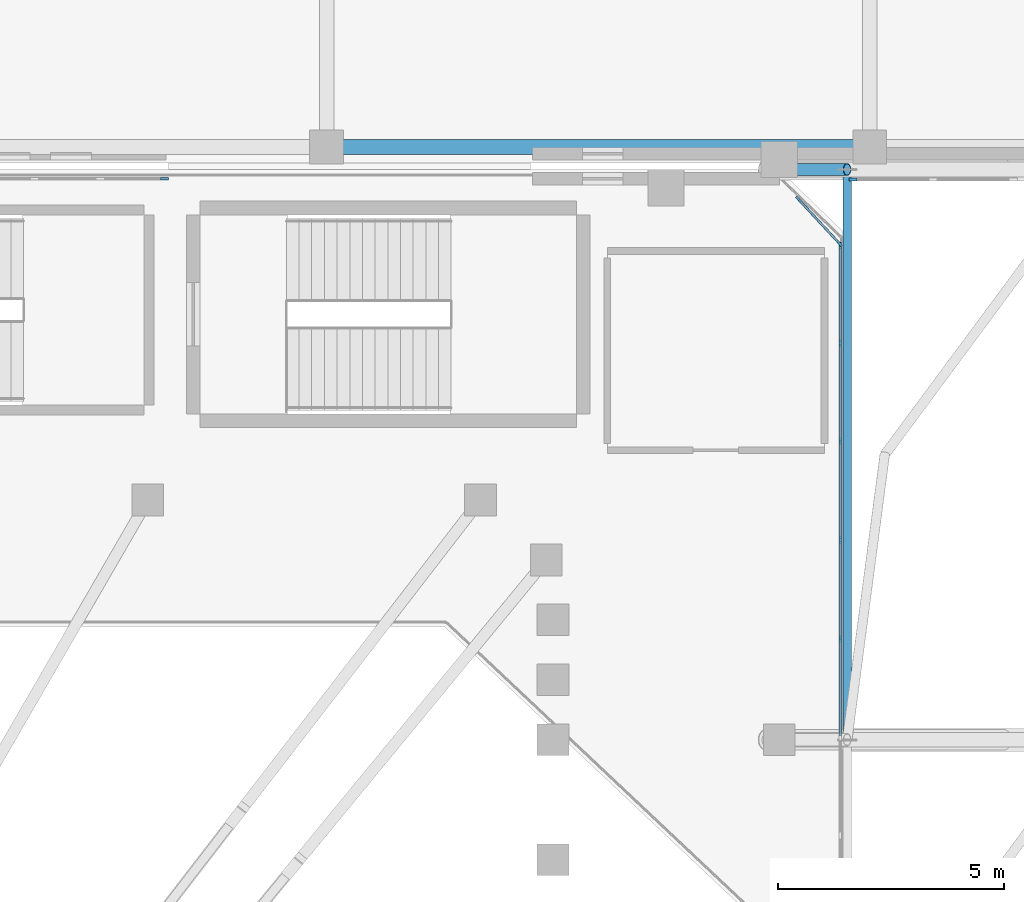
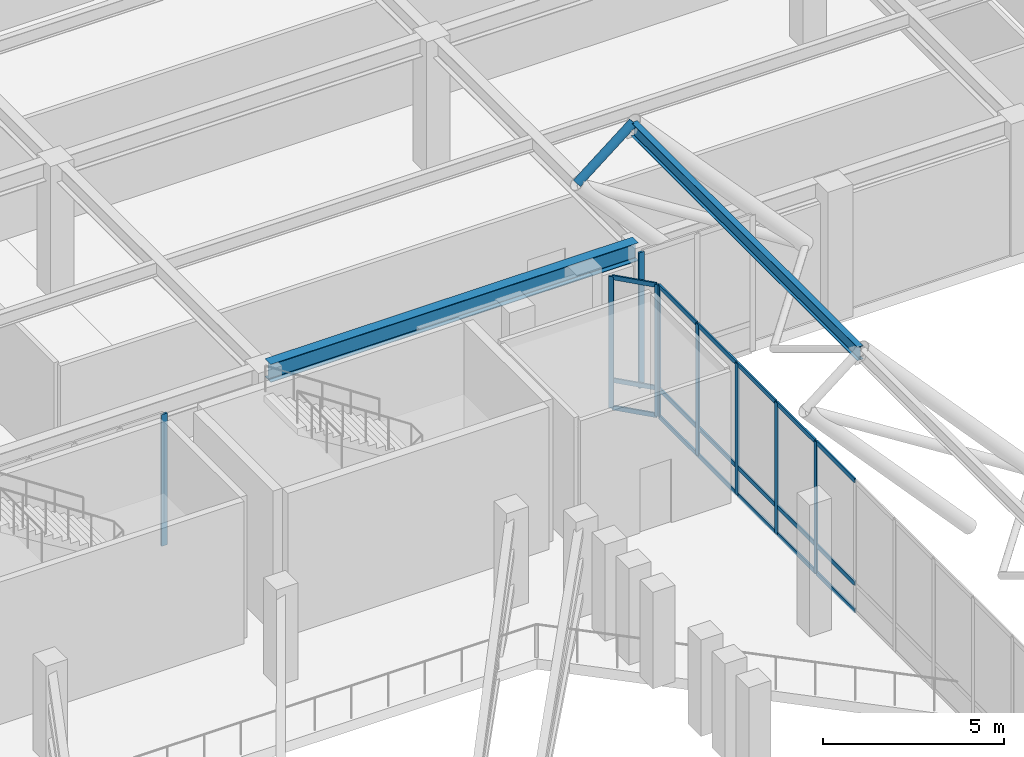
# One storey, part 31 of 79: 29 members, 1 beam, 4 elements without a shape of their own.
"""IFC4 building model written with IfcOpenShell, lengths in metres."""

from ifc_helpers import new_model, si_unit, derived_unit, direction, frame, origin, origin_2d, place, context, subcontext, project, spatial, rectangle, hollow_circle, i_section, extrude, material, layer, layer_set, material_profile, profile_set, type_object, element, aggregate, save


model = new_model("IFC4")

# Units and contexts
model_context = context("Model", 3, precision=1e-05, world=origin(), true_north=direction((0.0, 1.0)))
body_context = subcontext(model_context, "Body", "Model", "MODEL_VIEW")
ifc_project = project(units=[si_unit("LENGTHUNIT", "METRE"), si_unit("AREAUNIT", "SQUARE_METRE"), si_unit("VOLUMEUNIT", "CUBIC_METRE"), si_unit("PLANEANGLEUNIT", "RADIAN"), si_unit("MASSUNIT", "GRAM", prefix="KILO"), derived_unit("THERMALTRANSMITTANCEUNIT", [(si_unit("MASSUNIT", "GRAM", prefix="KILO"), 1), (si_unit("TIMEUNIT", "SECOND"), -3), (si_unit("THERMODYNAMICTEMPERATUREUNIT", "KELVIN"), -1)])], contexts=[model_context])

# Site, building, storey
site_placement = place(None, origin())
site = spatial("IfcSite", under=ifc_project, at=site_placement, CompositionType="ELEMENT")
building_placement = place(site_placement, origin())
building = spatial("IfcBuilding", under=site, at=building_placement, Name="Valcora Ridge Arena", CompositionType="ELEMENT")
storey_placement = place(building_placement, frame((0.0, 0.0, 16.199951171875)))
storey = spatial("IfcBuildingStorey", under=building, at=storey_placement, Name="L03", CompositionType="ELEMENT", Elevation=16.199951171875)

# Beam
ifc_material_1 = material(Name="Steel ASTM A572 Grade 50", Category="steel")
ifc_material_profile_1 = material_profile(ifc_material_1, i_section(OverallWidth=0.324951171875, OverallDepth=0.612060546875, WebThickness=0.0126953125, FlangeThickness=0.01904296875, FilletRadius=0.01806640625, at=origin_2d()), Name="W24X104")
ifc_profile_set_1 = profile_set([ifc_material_profile_1], Name="Steel ASTM A572 Grade 50")
beam_type = type_object("IfcBeamType", Name="TY-BEAM-G-W24X104-X", PredefinedType="BEAM", material=ifc_profile_set_1)
beam_placement = place(storey_placement, frame((84.139892578125, 108.699951171875, 4.154052734375), z_axis=(1.0, 0.0, 0.0), x_axis=(0.0, 1.0, 0.0)))
element("IfcBeam", 1, at=beam_placement, inside=storey, type_object=beam_type, Name="G-W24X104-X BEM-G-W24X104-X-0102", PredefinedType="BEAM", context=body_context, shape_type="SweptSolid", body=[
    extrude(i_section(OverallWidth=0.324951171875, OverallDepth=0.612060546875, WebThickness=0.0126953125, FlangeThickness=0.01904296875, FilletRadius=0.01806640625, at=origin_2d()), origin(), (0.0, 0.0, 1.0), 11.72021484375),
])

# Curtain wall, members
ifc_material_2 = material(Name="Anodised dark bronze architectural aluminium 6063-T6", Category="aluminium")
ifc_layer_1 = layer(ifc_material_2, 0.14990234375, Name="Anodised dark bronze architectural aluminium 6063-T6")
ifc_layer_set_1 = layer_set([ifc_layer_1], Name="Anodised dark bronze architectural aluminium 6063-T6")
curtain_wall_type_1 = type_object("IfcCurtainWallType", Name="TY-CURTAINWALL-CW-V1-EAST-849X44", PredefinedType="NOTDEFINED", material=ifc_layer_set_1)
curtain_wall_1_placement = place(storey_placement, origin())
curtain_wall_1 = element("IfcCurtainWall", 2, at=curtain_wall_1_placement, inside=storey, type_object=curtain_wall_type_1, Name="CW-V1-EAST-849X44 CW-0147", PredefinedType="NOTDEFINED")
ifc_material_profile_2 = material_profile(ifc_material_2, rectangle(XDim=0.050048828125, YDim=0.14990234375, at=origin_2d()), Name="ALU MULLION 50x150")
ifc_profile_set_2 = profile_set([ifc_material_profile_2], Name="Anodised dark bronze architectural aluminium 6063-T6")
member_type_1 = type_object("IfcMemberType", Name="TY-MEM-CWM-50x150", PredefinedType="MULLION", material=ifc_profile_set_2)
member_1_placement = place(storey_placement, frame((95.35009765625, 97.83935546875, 0.0), z_axis=(0.0, 0.0, 1.0), x_axis=(-1.0, 0.0, 0.0)))
member_1 = element("IfcMember", 3, at=member_1_placement, type_object=member_type_1, Name="CW-0147/CWM-50x150/M35", PredefinedType="MULLION", context=body_context, shape_type="SweptSolid", body=[
    extrude(rectangle(XDim=0.050048828125, YDim=0.14990234375, at=origin_2d()), origin(), (0.0, 0.0, 1.0), 4.43994140625),
])
member_2_placement = place(storey_placement, frame((95.35009765625, 100.01611328125, 0.0), z_axis=(0.0, 0.0, 1.0), x_axis=(-1.0, 0.0, 0.0)))
member_2 = element("IfcMember", 4, at=member_2_placement, type_object=member_type_1, Name="CW-0147/CWM-50x150/M36", PredefinedType="MULLION", context=body_context, shape_type="SweptSolid", body=[
    extrude(rectangle(XDim=0.050048828125, YDim=0.14990234375, at=origin_2d()), origin(), (0.0, 0.0, 1.0), 4.43994140625),
])
member_3_placement = place(storey_placement, frame((95.35009765625, 102.192626953125, 0.0), z_axis=(0.0, 0.0, 1.0), x_axis=(-1.0, 0.0, 0.0)))
member_3 = element("IfcMember", 5, at=member_3_placement, type_object=member_type_1, Name="CW-0147/CWM-50x150/M37", PredefinedType="MULLION", context=body_context, shape_type="SweptSolid", body=[
    extrude(rectangle(XDim=0.050048828125, YDim=0.14990234375, at=origin_2d()), origin(), (0.0, 0.0, 1.0), 4.43994140625),
])
member_4_placement = place(storey_placement, frame((95.35009765625, 104.369384765625, 0.0), z_axis=(0.0, 0.0, 1.0), x_axis=(-1.0, 0.0, 0.0)))
member_4 = element("IfcMember", 6, at=member_4_placement, type_object=member_type_1, Name="CW-0147/CWM-50x150/M38", PredefinedType="MULLION", context=body_context, shape_type="SweptSolid", body=[
    extrude(rectangle(XDim=0.050048828125, YDim=0.14990234375, at=origin_2d()), origin(), (0.0, 0.0, 1.0), 4.43994140625),
])
member_5_placement = place(storey_placement, frame((95.35009765625, 106.521240234375, 0.0), z_axis=(0.0, 0.0, 1.0), x_axis=(-1.0, 0.0, 0.0)))
member_5 = element("IfcMember", 7, at=member_5_placement, type_object=member_type_1, Name="CW-0147/CWM-50x150/M39", PredefinedType="MULLION", context=body_context, shape_type="SweptSolid", body=[
    extrude(rectangle(XDim=0.050048828125, YDim=0.14990234375, at=origin_2d()), origin(), (0.0, 0.0, 1.0), 4.43994140625),
])

ifc_layer_2 = layer(ifc_material_2, 0.14990234375, Name="Anodised dark bronze architectural aluminium 6063-T6")
ifc_layer_set_2 = layer_set([ifc_layer_2], Name="Anodised dark bronze architectural aluminium 6063-T6")
curtain_wall_type_2 = type_object("IfcCurtainWallType", Name="TY-CURTAINWALL-CW-V1-EAST-014X44", PredefinedType="NOTDEFINED", material=ifc_layer_set_2)
curtain_wall_2_placement = place(storey_placement, origin())
curtain_wall_2 = element("IfcCurtainWall", 8, at=curtain_wall_2_placement, inside=storey, type_object=curtain_wall_type_2, Name="CW-V1-EAST-014X44 CW-0148", PredefinedType="NOTDEFINED")
member_6_placement = place(storey_placement, frame((95.3330078125, 106.564453125, 0.0), z_axis=(0.0, 0.0, 1.0), x_axis=(-0.732755529721, -0.680491979132, 0.0)))
member_6 = element("IfcMember", 9, at=member_6_placement, type_object=member_type_1, Name="CW-0148/CWM-50x150/M00", PredefinedType="MULLION", context=body_context, shape_type="SweptSolid", body=[
    extrude(rectangle(XDim=0.050048828125, YDim=0.14990234375, at=origin_2d()), origin(), (0.0, 0.0, 1.0), 4.43994140625),
])
member_7_placement = place(storey_placement, frame((94.423095703125, 107.54443359375, 0.0), z_axis=(0.0, 0.0, 1.0), x_axis=(-0.732755529721, -0.680491979132, 0.0)))
member_7 = element("IfcMember", 10, at=member_7_placement, type_object=member_type_1, Name="CW-0148/CWM-50x150/M01", PredefinedType="MULLION", context=body_context, shape_type="SweptSolid", body=[
    extrude(rectangle(XDim=0.050048828125, YDim=0.14990234375, at=origin_2d()), origin(), (0.0, 0.0, 1.0), 4.43994140625),
])

# Curtain wall, member
ifc_layer_3 = layer(ifc_material_2, 0.179931640625, Name="Anodised dark bronze architectural aluminium 6063-T6")
ifc_layer_set_3 = layer_set([ifc_layer_3], Name="Anodised dark bronze architectural aluminium 6063-T6")
curtain_wall_type_3 = type_object("IfcCurtainWallType", Name="TY-CURTAINWALL-CW-V1-GOTH-058X44", PredefinedType="NOTDEFINED", material=ifc_layer_set_3)
curtain_wall_3_placement = place(storey_placement, origin())
curtain_wall_3 = element("IfcCurtainWall", 11, at=curtain_wall_3_placement, inside=storey, type_object=curtain_wall_type_3, Name="CW-V1-GOTH-058X44 CW-0145", PredefinedType="NOTDEFINED")
ifc_material_profile_3 = material_profile(ifc_material_2, rectangle(XDim=0.06005859375, YDim=0.179931640625, at=origin_2d()), Name="ALU MULLION 60x180")
ifc_profile_set_3 = profile_set([ifc_material_profile_3], Name="Anodised dark bronze architectural aluminium 6063-T6")
member_type_2 = type_object("IfcMemberType", Name="TY-MEM-CWM-60x180", PredefinedType="MULLION", material=ifc_profile_set_3)
member_8_placement = place(storey_placement, frame((80.419921875, 108.0, 0.0), z_axis=(0.0, 0.0, 1.0), x_axis=(0.0, 1.0, 0.0)))
member_8 = element("IfcMember", 12, at=member_8_placement, type_object=member_type_2, Name="CW-0145/CWM-60x180/M04", PredefinedType="MULLION", context=body_context, shape_type="SweptSolid", body=[
    extrude(rectangle(XDim=0.06005859375, YDim=0.179931640625, at=origin_2d()), origin(), (0.0, 0.0, 1.0), 4.43994140625),
])
aggregate(curtain_wall_3, [member_8])

ifc_layer_4 = layer(ifc_material_2, 0.179931640625, Name="Anodised dark bronze architectural aluminium 6063-T6")
ifc_layer_set_4 = layer_set([ifc_layer_4], Name="Anodised dark bronze architectural aluminium 6063-T6")
curtain_wall_type_4 = type_object("IfcCurtainWallType", Name="TY-CURTAINWALL-CW-V1-TYMPN-036X46", PredefinedType="NOTDEFINED", material=ifc_layer_set_4)
curtain_wall_4_placement = place(storey_placement, origin())
curtain_wall_4 = element("IfcCurtainWall", 13, at=curtain_wall_4_placement, inside=storey, type_object=curtain_wall_type_4, Name="CW-V1-TYMPN-036X46 CW-0183", PredefinedType="NOTDEFINED")
member_9_placement = place(storey_placement, frame((95.6298828125, 107.97998046875, 0.0), z_axis=(0.0, 0.0, 1.0), x_axis=(0.0, 1.0, 0.0)))
member_9 = element("IfcMember", 14, at=member_9_placement, type_object=member_type_2, Name="CW-0183/CWM-60x180/M00", PredefinedType="MULLION", context=body_context, shape_type="SweptSolid", body=[
    extrude(rectangle(XDim=0.06005859375, YDim=0.179931640625, at=origin_2d()), origin(), (0.0, 0.0, 1.0), 4.579345703125),
])
aggregate(curtain_wall_4, [member_9])

# Member
ifc_material_profile_4 = material_profile(ifc_material_2, rectangle(XDim=0.050048828125, YDim=0.14990234375, at=origin_2d()), Name="ALU TRANSOM 50x150")
ifc_profile_set_4 = profile_set([ifc_material_profile_4], Name="Anodised dark bronze architectural aluminium 6063-T6")
member_type_3 = type_object("IfcMemberType", Name="TY-MEM-CWT-50x150", PredefinedType="USERDEFINED", material=ifc_profile_set_4)
member_10_placement = place(storey_placement, frame((95.35009765625, 95.687744140625, 0.025146484375), z_axis=(0.0, 1.0, 0.0), x_axis=(-1.0, 0.0, 0.0)))
member_10 = element("IfcMember", 15, at=member_10_placement, type_object=member_type_3, Name="CW-0147/CWT-50x150/T34-00", ObjectType="TRANSOM", PredefinedType="USERDEFINED", context=body_context, shape_type="SweptSolid", body=[
    extrude(rectangle(XDim=0.050048828125, YDim=0.14990234375, at=origin_2d()), origin(), (0.0, 0.0, 1.0), 2.1259765625),
])

member_11_placement = place(storey_placement, frame((95.35009765625, 95.687744140625, 0.949951171875), z_axis=(0.0, 1.0, 0.0), x_axis=(-1.0, 0.0, 0.0)))
member_11 = element("IfcMember", 16, at=member_11_placement, type_object=member_type_3, Name="CW-0147/CWT-50x150/T34-01", ObjectType="TRANSOM", PredefinedType="USERDEFINED", context=body_context, shape_type="SweptSolid", body=[
    extrude(rectangle(XDim=0.050048828125, YDim=0.14990234375, at=origin_2d()), origin(), (0.0, 0.0, 1.0), 2.1259765625),
])

member_12_placement = place(storey_placement, frame((95.35009765625, 95.687744140625, 4.4150390625), z_axis=(0.0, 1.0, 0.0), x_axis=(-1.0, 0.0, 0.0)))
member_12 = element("IfcMember", 17, at=member_12_placement, type_object=member_type_3, Name="CW-0147/CWT-50x150/T34-02", ObjectType="TRANSOM", PredefinedType="USERDEFINED", context=body_context, shape_type="SweptSolid", body=[
    extrude(rectangle(XDim=0.050048828125, YDim=0.14990234375, at=origin_2d()), origin(), (0.0, 0.0, 1.0), 2.1259765625),
])

member_13_placement = place(storey_placement, frame((95.35009765625, 97.86376953125, 0.025146484375), z_axis=(0.0, 1.0, 0.0), x_axis=(-1.0, 0.0, 0.0)))
member_13 = element("IfcMember", 18, at=member_13_placement, type_object=member_type_3, Name="CW-0147/CWT-50x150/T35-00", ObjectType="TRANSOM", PredefinedType="USERDEFINED", context=body_context, shape_type="SweptSolid", body=[
    extrude(rectangle(XDim=0.050048828125, YDim=0.14990234375, at=origin_2d()), origin(), (0.0, 0.0, 1.0), 2.126953125),
])

member_14_placement = place(storey_placement, frame((95.35009765625, 97.86376953125, 0.949951171875), z_axis=(0.0, 1.0, 0.0), x_axis=(-1.0, 0.0, 0.0)))
member_14 = element("IfcMember", 19, at=member_14_placement, type_object=member_type_3, Name="CW-0147/CWT-50x150/T35-01", ObjectType="TRANSOM", PredefinedType="USERDEFINED", context=body_context, shape_type="SweptSolid", body=[
    extrude(rectangle(XDim=0.050048828125, YDim=0.14990234375, at=origin_2d()), origin(), (0.0, 0.0, 1.0), 2.126953125),
])

member_15_placement = place(storey_placement, frame((95.35009765625, 97.86376953125, 4.4150390625), z_axis=(0.0, 1.0, 0.0), x_axis=(-1.0, 0.0, 0.0)))
member_15 = element("IfcMember", 20, at=member_15_placement, type_object=member_type_3, Name="CW-0147/CWT-50x150/T35-02", ObjectType="TRANSOM", PredefinedType="USERDEFINED", context=body_context, shape_type="SweptSolid", body=[
    extrude(rectangle(XDim=0.050048828125, YDim=0.14990234375, at=origin_2d()), origin(), (0.0, 0.0, 1.0), 2.126953125),
])

member_16_placement = place(storey_placement, frame((95.35009765625, 100.040771484375, 0.025146484375), z_axis=(0.0, 1.0, 0.0), x_axis=(-1.0, 0.0, 0.0)))
member_16 = element("IfcMember", 21, at=member_16_placement, type_object=member_type_3, Name="CW-0147/CWT-50x150/T36-00", ObjectType="TRANSOM", PredefinedType="USERDEFINED", context=body_context, shape_type="SweptSolid", body=[
    extrude(rectangle(XDim=0.050048828125, YDim=0.14990234375, at=origin_2d()), origin(), (0.0, 0.0, 1.0), 2.126953125),
])

member_17_placement = place(storey_placement, frame((95.35009765625, 100.040771484375, 0.949951171875), z_axis=(0.0, 1.0, 0.0), x_axis=(-1.0, 0.0, 0.0)))
member_17 = element("IfcMember", 22, at=member_17_placement, type_object=member_type_3, Name="CW-0147/CWT-50x150/T36-01", ObjectType="TRANSOM", PredefinedType="USERDEFINED", context=body_context, shape_type="SweptSolid", body=[
    extrude(rectangle(XDim=0.050048828125, YDim=0.14990234375, at=origin_2d()), origin(), (0.0, 0.0, 1.0), 2.126953125),
])

member_18_placement = place(storey_placement, frame((95.35009765625, 100.040771484375, 4.4150390625), z_axis=(0.0, 1.0, 0.0), x_axis=(-1.0, 0.0, 0.0)))
member_18 = element("IfcMember", 23, at=member_18_placement, type_object=member_type_3, Name="CW-0147/CWT-50x150/T36-02", ObjectType="TRANSOM", PredefinedType="USERDEFINED", context=body_context, shape_type="SweptSolid", body=[
    extrude(rectangle(XDim=0.050048828125, YDim=0.14990234375, at=origin_2d()), origin(), (0.0, 0.0, 1.0), 2.126953125),
])

member_19_placement = place(storey_placement, frame((95.35009765625, 102.2177734375, 0.025146484375), z_axis=(0.0, 1.0, 0.0), x_axis=(-1.0, 0.0, 0.0)))
member_19 = element("IfcMember", 24, at=member_19_placement, type_object=member_type_3, Name="CW-0147/CWT-50x150/T37-00", ObjectType="TRANSOM", PredefinedType="USERDEFINED", context=body_context, shape_type="SweptSolid", body=[
    extrude(rectangle(XDim=0.050048828125, YDim=0.14990234375, at=origin_2d()), origin(), (0.0, 0.0, 1.0), 2.126953125),
])

member_20_placement = place(storey_placement, frame((95.35009765625, 102.2177734375, 0.949951171875), z_axis=(0.0, 1.0, 0.0), x_axis=(-1.0, 0.0, 0.0)))
member_20 = element("IfcMember", 25, at=member_20_placement, type_object=member_type_3, Name="CW-0147/CWT-50x150/T37-01", ObjectType="TRANSOM", PredefinedType="USERDEFINED", context=body_context, shape_type="SweptSolid", body=[
    extrude(rectangle(XDim=0.050048828125, YDim=0.14990234375, at=origin_2d()), origin(), (0.0, 0.0, 1.0), 2.126953125),
])

member_21_placement = place(storey_placement, frame((95.35009765625, 102.2177734375, 4.4150390625), z_axis=(0.0, 1.0, 0.0), x_axis=(-1.0, 0.0, 0.0)))
member_21 = element("IfcMember", 26, at=member_21_placement, type_object=member_type_3, Name="CW-0147/CWT-50x150/T37-02", ObjectType="TRANSOM", PredefinedType="USERDEFINED", context=body_context, shape_type="SweptSolid", body=[
    extrude(rectangle(XDim=0.050048828125, YDim=0.14990234375, at=origin_2d()), origin(), (0.0, 0.0, 1.0), 2.126953125),
])

member_22_placement = place(storey_placement, frame((95.35009765625, 104.394775390625, 0.025146484375), z_axis=(0.0, 1.0, 0.0), x_axis=(-1.0, 0.0, 0.0)))
member_22 = element("IfcMember", 27, at=member_22_placement, type_object=member_type_3, Name="CW-0147/CWT-50x150/T38-00", ObjectType="TRANSOM", PredefinedType="USERDEFINED", context=body_context, shape_type="SweptSolid", body=[
    extrude(rectangle(XDim=0.050048828125, YDim=0.14990234375, at=origin_2d()), origin(), (0.0, 0.0, 1.0), 2.10107421875),
])

member_23_placement = place(storey_placement, frame((95.35009765625, 104.394775390625, 0.949951171875), z_axis=(0.0, 1.0, 0.0), x_axis=(-1.0, 0.0, 0.0)))
member_23 = element("IfcMember", 28, at=member_23_placement, type_object=member_type_3, Name="CW-0147/CWT-50x150/T38-01", ObjectType="TRANSOM", PredefinedType="USERDEFINED", context=body_context, shape_type="SweptSolid", body=[
    extrude(rectangle(XDim=0.050048828125, YDim=0.14990234375, at=origin_2d()), origin(), (0.0, 0.0, 1.0), 2.10107421875),
])

member_24_placement = place(storey_placement, frame((95.35009765625, 104.394775390625, 4.4150390625), z_axis=(0.0, 1.0, 0.0), x_axis=(-1.0, 0.0, 0.0)))
member_24 = element("IfcMember", 29, at=member_24_placement, type_object=member_type_3, Name="CW-0147/CWT-50x150/T38-02", ObjectType="TRANSOM", PredefinedType="USERDEFINED", context=body_context, shape_type="SweptSolid", body=[
    extrude(rectangle(XDim=0.050048828125, YDim=0.14990234375, at=origin_2d()), origin(), (0.0, 0.0, 1.0), 2.10107421875),
])

aggregate(curtain_wall_1, [member_1, member_2, member_3, member_4, member_5, member_10, member_11, member_12, member_13, member_14, member_15, member_16, member_17, member_18, member_19, member_20, member_21, member_22, member_23, member_24])

member_25_placement = place(storey_placement, frame((95.31591796875, 106.582763671875, 0.025146484375), z_axis=(-0.680443823277, 0.732800247928, 0.0), x_axis=(-0.732800247928, -0.680443823277, 0.0)))
member_25 = element("IfcMember", 30, at=member_25_placement, type_object=member_type_3, Name="CW-0148/CWT-50x150/T00-00", ObjectType="TRANSOM", PredefinedType="USERDEFINED", context=body_context, shape_type="SweptSolid", body=[
    extrude(rectangle(XDim=0.050048828125, YDim=0.14990234375, at=origin_2d()), origin(), (0.0, 0.0, 1.0), 1.287109375),
])

member_26_placement = place(storey_placement, frame((95.31591796875, 106.582763671875, 0.949951171875), z_axis=(-0.680443823277, 0.732800247928, 0.0), x_axis=(-0.732800247928, -0.680443823277, 0.0)))
member_26 = element("IfcMember", 31, at=member_26_placement, type_object=member_type_3, Name="CW-0148/CWT-50x150/T00-01", ObjectType="TRANSOM", PredefinedType="USERDEFINED", context=body_context, shape_type="SweptSolid", body=[
    extrude(rectangle(XDim=0.050048828125, YDim=0.14990234375, at=origin_2d()), origin(), (0.0, 0.0, 1.0), 1.287109375),
])

member_27_placement = place(storey_placement, frame((95.31591796875, 106.582763671875, 4.4150390625), z_axis=(-0.680443823277, 0.732800247928, 0.0), x_axis=(-0.732800247928, -0.680443823277, 0.0)))
member_27 = element("IfcMember", 32, at=member_27_placement, type_object=member_type_3, Name="CW-0148/CWT-50x150/T00-02", ObjectType="TRANSOM", PredefinedType="USERDEFINED", context=body_context, shape_type="SweptSolid", body=[
    extrude(rectangle(XDim=0.050048828125, YDim=0.14990234375, at=origin_2d()), origin(), (0.0, 0.0, 1.0), 1.287109375),
])

aggregate(curtain_wall_2, [member_6, member_7, member_25, member_26, member_27])

# Members
ifc_material_profile_5 = material_profile(ifc_material_1, i_section(OverallWidth=0.18994140625, OverallDepth=0.45703125, WebThickness=0.009033203125, FlangeThickness=0.014404296875, FilletRadius=0.014892578125, at=origin_2d()), Name="W18X50")
ifc_profile_set_5 = profile_set([ifc_material_profile_5], Name="Steel ASTM A572 Grade 50")
member_type_4 = type_object("IfcMemberType", Name="TY-MEMBER-PUR-W18X50", PredefinedType="PURLIN", material=ifc_profile_set_5)
member_28_placement = place(storey_placement, frame((95.5, 95.64990234375, 8.67724609375), z_axis=(0.0, 1.0, 0.0), x_axis=(-1.0, 0.0, 0.0)))
element("IfcMember", 33, at=member_28_placement, inside=storey, type_object=member_type_4, Name="PUR-W18X50 SF-PR-PUR-W18X50-0084", PredefinedType="PURLIN", context=body_context, shape_type="SweptSolid", body=[
    extrude(i_section(OverallWidth=0.18994140625, OverallDepth=0.45703125, WebThickness=0.009033203125, FlangeThickness=0.014404296875, FilletRadius=0.014892578125, at=origin_2d()), origin(), (0.0, 0.0, 1.0), 12.5),
])
ifc_material_3 = material(Name="Steel ASTM A500 Grade C", Category="steel")
ifc_material_profile_6 = material_profile(ifc_material_3, hollow_circle(Radius=0.136474609375, WallThickness=0.012451171875, at=origin_2d()), Name="CHS273X12")
ifc_profile_set_6 = profile_set([ifc_material_profile_6], Name="Steel ASTM A500 Grade C")
member_type_5 = type_object("IfcMemberType", Name="TY-MEMBER-SFKP-273", PredefinedType="POST", material=ifc_profile_set_6)
member_29_placement = place(storey_placement, frame((93.705322265625, 108.199951171875, 7.423095703125), z_axis=(0.78184324525, 0.0, 0.623475051511), x_axis=(0.0, 1.0, 0.0)))
element("IfcMember", 34, at=member_29_placement, inside=storey, type_object=member_type_5, Name="SFKP-273 Space Frame King Post", PredefinedType="POST", context=body_context, shape_type="SweptSolid", body=[
    extrude(hollow_circle(Radius=0.136474609375, WallThickness=0.012451171875, at=origin_2d()), origin(), (0.0, 0.0, 1.0), 2.29541015625),
])

save(model, "model.ifc")
